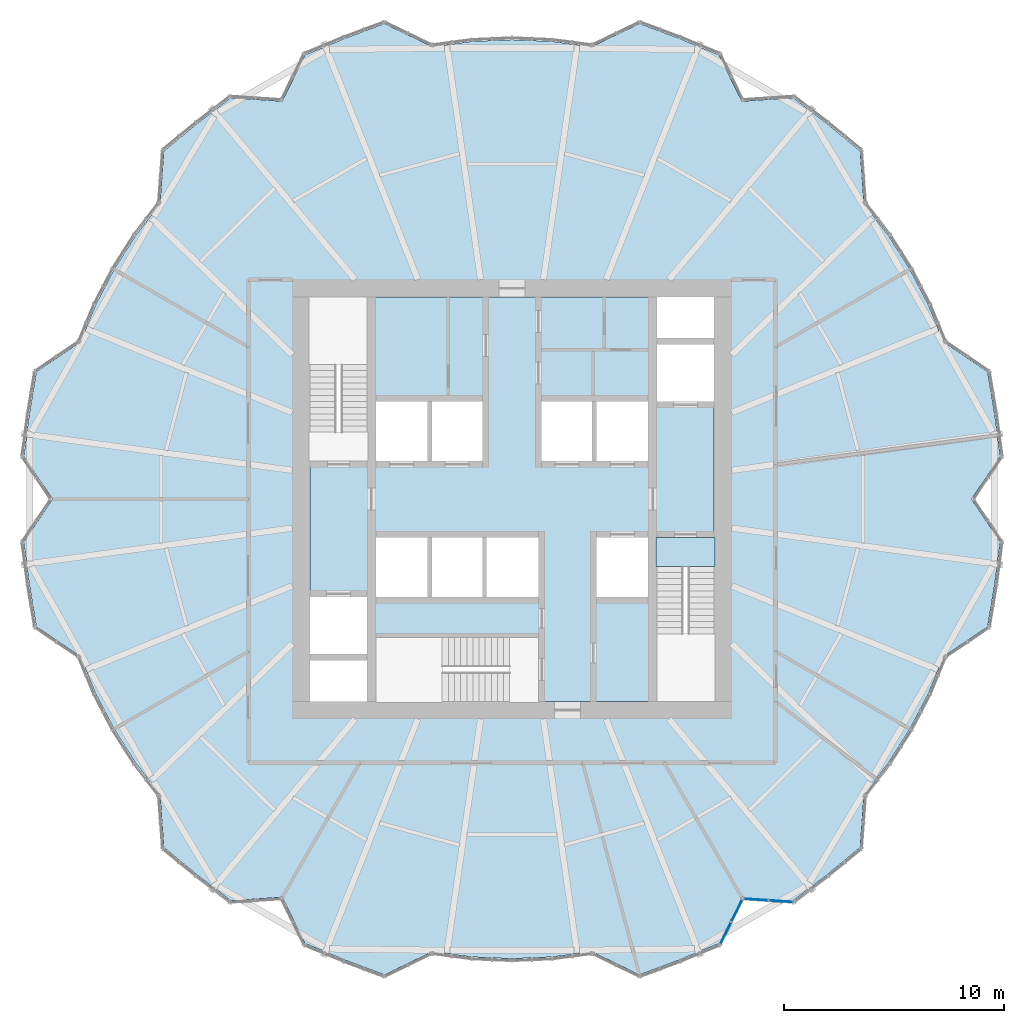
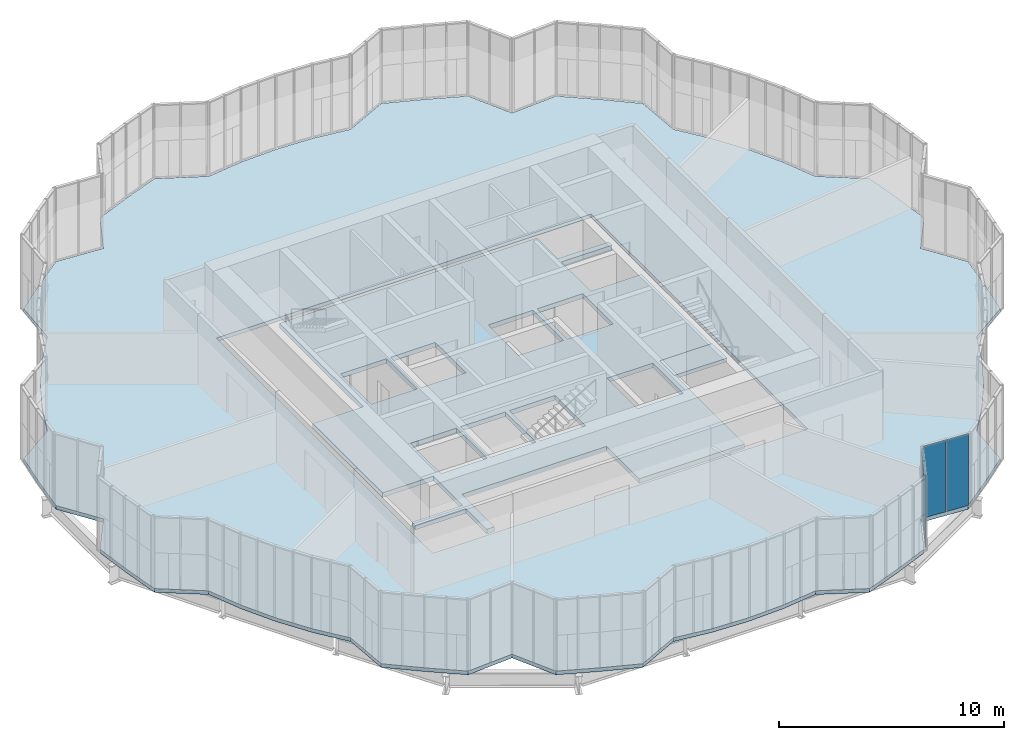
# One storey, part 15 of 22: 4 plates, 3 slabs, 2 elements without a shape of their own.
"""IFC4 building model written with IfcOpenShell, lengths in metres."""

from ifc_helpers import new_model, si_unit, direction, frame, origin, origin_2d, place, context, subcontext, project, spatial, polyline, rectangle, outline, extrude, material, layer, layer_set, type_object, element, aggregate, save


model = new_model("IFC4")

# Units and contexts
model_context = context("Model", 3, precision=1e-05, world=origin(), true_north=direction((0.0, 1.0)))
body_context = subcontext(model_context, "Body", "Model", "MODEL_VIEW")
ifc_project = project(units=[si_unit("LENGTHUNIT", "METRE"), si_unit("AREAUNIT", "SQUARE_METRE"), si_unit("VOLUMEUNIT", "CUBIC_METRE"), si_unit("PLANEANGLEUNIT", "RADIAN"), si_unit("MASSUNIT", "GRAM", prefix="KILO")], contexts=[model_context])

# Site, building, storey
site_placement = place(None, origin())
site = spatial("IfcSite", under=ifc_project, at=site_placement, CompositionType="ELEMENT")
building_placement = place(site_placement, origin())
building = spatial("IfcBuilding", under=site, at=building_placement, Name="Golbaran Civic Tower", CompositionType="ELEMENT")
storey_placement = place(building_placement, frame((0.0, 0.0, 29.0)))
storey = spatial("IfcBuildingStorey", under=building, at=storey_placement, Name="L06", CompositionType="ELEMENT", Elevation=29.0)

# Slabs
ifc_material_1 = material(Name="Concrete LC30/33 lightweight on steel deck", Category="concrete")
ifc_layer_1 = layer(ifc_material_1, 0.199951171875, Name="Concrete LC30/33 lightweight on steel deck")
ifc_layer_set_1 = layer_set([ifc_layer_1], Name="Concrete LC30/33 lightweight on steel deck")
slab_type_1 = type_object("IfcSlabType", Name="COMPOSITE FLOOR SLAB 200", PredefinedType="FLOOR", material=ifc_layer_set_1)
slab_1_placement = place(storey_placement, frame((0.0, 0.0, -0.199951171875)))
element("IfcSlab", 1, at=slab_1_placement, inside=storey, type_object=slab_type_1, Name="Floor slab L06", PredefinedType="FLOOR", context=body_context, shape_type="SweptSolid", body=[
    extrude(outline(polyline([(21.9775390625, -3.875244140625), (21.65673828125, -5.802978515625), (19.661865234375, -7.15625), (18.96337890625, -8.8427734375), (18.120361328125, -10.4619140625), (17.1396484375, -12.001220703125), (16.028564453125, -13.449462890625), (15.853759765625, -15.853759765625), (14.344970703125, -17.095458984375), (12.80029296875, -18.28076171875), (10.4619140625, -18.120361328125), (9.431396484375, -20.225830078125), (7.6328125, -20.970947265625), (5.802978515625, -21.65673828125), (3.63330078125, -20.605712890625), (1.82373046875, -20.843994140625), (0.0, -20.923583984375), (-1.82373046875, -20.843994140625), (-3.63330078125, -20.605712890625), (-5.802978515625, -21.65673828125), (-7.6328125, -20.970947265625), (-9.431396484375, -20.225830078125), (-10.4619140625, -18.120361328125), (-12.80029296875, -18.28076171875), (-14.344970703125, -17.095458984375), (-15.853759765625, -15.853759765625), (-16.028564453125, -13.449462890625), (-17.1396484375, -12.001220703125), (-18.120361328125, -10.4619140625), (-18.96337890625, -8.8427734375), (-19.661865234375, -7.15625), (-21.65673828125, -5.802978515625), (-21.9775390625, -3.875244140625), (-22.231689453125, -1.945068359375), (-20.923583984375, 0.0), (-22.231689453125, 1.945068359375), (-21.9775390625, 3.875244140625), (-21.65673828125, 5.802978515625), (-19.661865234375, 7.15625), (-18.96337890625, 8.8427734375), (-18.120361328125, 10.4619140625), (-17.1396484375, 12.001220703125), (-16.028564453125, 13.449462890625), (-15.853759765625, 15.853759765625), (-14.344970703125, 17.095458984375), (-12.80029296875, 18.28076171875), (-10.4619140625, 18.120361328125), (-9.431396484375, 20.225830078125), (-7.6328125, 20.970947265625), (-5.802978515625, 21.65673828125), (-3.63330078125, 20.605712890625), (-1.82373046875, 20.843994140625), (0.0, 20.923583984375), (1.82373046875, 20.843994140625), (3.63330078125, 20.605712890625), (5.802978515625, 21.65673828125), (7.6328125, 20.970947265625), (9.431396484375, 20.225830078125), (10.4619140625, 18.120361328125), (12.80029296875, 18.28076171875), (14.344970703125, 17.095458984375), (15.853759765625, 15.853759765625), (16.028564453125, 13.449462890625), (17.1396484375, 12.001220703125), (18.120361328125, 10.4619140625), (18.96337890625, 8.8427734375), (19.661865234375, 7.15625), (21.65673828125, 5.802978515625), (21.9775390625, 3.875244140625), (22.231689453125, 1.945068359375), (20.923583984375, 0.0), (22.231689453125, -1.945068359375), (21.9775390625, -3.875244140625)]), holes=[polyline([(-9.60009765625, 9.60009765625), (-9.60009765625, -9.60009765625), (9.60009765625, -9.60009765625), (9.60009765625, 9.60009765625), (-9.60009765625, 9.60009765625)])]), origin(), (0.0, 0.0, 1.0), 0.199951171875),
])
ifc_material_2 = material(Name="Concrete C35/45", Category="concrete")
ifc_layer_2 = layer(ifc_material_2, 0.25, Name="Concrete C35/45")
ifc_layer_set_2 = layer_set([ifc_layer_2], Name="Concrete C35/45")
slab_type_2 = type_object("IfcSlabType", Name="CORE FLOOR SLAB 250", PredefinedType="FLOOR", material=ifc_layer_set_2)
slab_2_placement = place(storey_placement, frame((0.0, 0.0, -0.25)))
element("IfcSlab", 2, at=slab_2_placement, inside=storey, type_object=slab_type_2, Name="Core floor slab L06", PredefinedType="FLOOR", context=body_context, shape_type="SweptSolid", body=[
    extrude(outline(polyline([(6.60009765625, -1.75), (6.60009765625, -9.199951171875), (1.199951171875, -9.199951171875), (1.199951171875, -6.300048828125), (-6.199951171875, -6.300048828125), (-6.199951171875, -9.199951171875), (-6.60009765625, -9.199951171875), (-6.60009765625, -7.35009765625), (-9.199951171875, -7.35009765625), (-9.199951171875, -7.050048828125), (-6.60009765625, -7.050048828125), (-6.60009765625, -4.449951171875), (-9.199951171875, -4.449951171875), (-9.199951171875, 1.75), (-6.60009765625, 1.75), (-6.60009765625, 9.199951171875), (6.60009765625, 9.199951171875), (6.60009765625, 7.35009765625), (9.199951171875, 7.35009765625), (9.199951171875, 7.050048828125), (6.60009765625, 7.050048828125), (6.60009765625, 4.449951171875), (9.199951171875, 4.449951171875), (9.199951171875, -1.75), (6.60009765625, -1.75)]), holes=[polyline([(6.199951171875, -1.75), (3.85009765625, -1.75), (3.85009765625, -4.449951171875), (6.199951171875, -4.449951171875), (6.199951171875, -1.75)]), polyline([(6.199951171875, 4.449951171875), (3.85009765625, 4.449951171875), (3.85009765625, 1.75), (6.199951171875, 1.75), (6.199951171875, 4.449951171875)]), polyline([(3.64990234375, 4.449951171875), (1.35009765625, 4.449951171875), (1.35009765625, 1.75), (3.64990234375, 1.75), (3.64990234375, 4.449951171875)]), polyline([(1.199951171875, -1.75), (-1.14990234375, -1.75), (-1.14990234375, -4.449951171875), (1.199951171875, -4.449951171875), (1.199951171875, -1.75)]), polyline([(-1.35009765625, 4.449951171875), (-3.64990234375, 4.449951171875), (-3.64990234375, 1.75), (-1.35009765625, 1.75), (-1.35009765625, 4.449951171875)]), polyline([(-1.35009765625, -1.75), (-3.64990234375, -1.75), (-3.64990234375, -4.449951171875), (-1.35009765625, -4.449951171875), (-1.35009765625, -1.75)]), polyline([(-3.85009765625, -1.75), (-6.199951171875, -1.75), (-6.199951171875, -4.449951171875), (-3.85009765625, -4.449951171875), (-3.85009765625, -1.75)]), polyline([(-3.85009765625, 4.449951171875), (-6.199951171875, 4.449951171875), (-6.199951171875, 1.75), (-3.85009765625, 1.75), (-3.85009765625, 4.449951171875)])]), origin(), (0.0, 0.0, 1.0), 0.25),
])

# Curtain wall, plates
ifc_material_3 = material(Name="Aluminium and glass", Category="aluminium")
curtain_wall_type = type_object("IfcCurtainWallType", Name="INNER SKIN CURTAIN WALL", PredefinedType="NOTDEFINED", material=ifc_material_3)
curtain_wall_1_placement = place(storey_placement, origin())
curtain_wall_1 = element("IfcCurtainWall", 3, at=curtain_wall_1_placement, inside=storey, type_object=curtain_wall_type, Name="Inner skin L06 facet 60 CW1", ObjectType="INNER SKIN", PredefinedType="USERDEFINED")
ifc_material_4 = material(Name="Clear insulating glass", Category="glass")
ifc_layer_3 = layer(ifc_material_4, 0.031982421875, Name="Clear insulating glass")
ifc_layer_set_3 = layer_set([ifc_layer_3], Name="Clear insulating glass")
plate_type = type_object("IfcPlateType", Name="INNER SKIN CURTAIN WALL GLAZED PANEL", PredefinedType="CURTAIN_PANEL", material=ifc_layer_set_3)
plate_1_placement = place(storey_placement, frame((9.732177734375, -19.7578125, 0.06494140625), z_axis=(0.0, 0.0, 1.0), x_axis=(0.441206843893, 0.897405438418, 0.0)))
plate_1 = element("IfcPlate", 4, at=plate_1_placement, type_object=plate_type, Name="CW1 panel 1.1", PredefinedType="CURTAIN_PANEL", context=body_context, shape_type="SweptSolid", body=[
    extrude(rectangle(XDim=1.077392578125, YDim=0.031982421875, at=origin_2d()), origin(), (0.0, 0.0, 1.0), 3.8701171875),
])
plate_2_placement = place(storey_placement, frame((10.236083984375, -18.732666015625, 0.06494140625), z_axis=(0.0, 0.0, 1.0), x_axis=(0.441206843893, 0.897405438418, 0.0)))
plate_2 = element("IfcPlate", 5, at=plate_2_placement, type_object=plate_type, Name="CW1 panel 2.1", PredefinedType="CURTAIN_PANEL", context=body_context, shape_type="SweptSolid", body=[
    extrude(rectangle(XDim=1.077392578125, YDim=0.031982421875, at=origin_2d()), origin(), (0.0, 0.0, 1.0), 3.8701171875),
])
aggregate(curtain_wall_1, [plate_1, plate_2])

curtain_wall_2_placement = place(storey_placement, origin())
curtain_wall_2 = element("IfcCurtainWall", 6, at=curtain_wall_2_placement, inside=storey, type_object=curtain_wall_type, Name="Inner skin L06 facet 61 CW1", ObjectType="INNER SKIN", PredefinedType="USERDEFINED")
plate_3_placement = place(storey_placement, frame((11.104736328125, -18.23095703125, 0.06494140625), z_axis=(0.0, 0.0, 1.0), x_axis=(0.99777932909, -0.066606384387, 0.0)))
plate_3 = element("IfcPlate", 7, at=plate_3_placement, type_object=plate_type, Name="CW1 panel 1.1", PredefinedType="CURTAIN_PANEL", context=body_context, shape_type="SweptSolid", body=[
    extrude(rectangle(XDim=1.077392578125, YDim=0.031982421875, at=origin_2d()), origin(), (0.0, 0.0, 1.0), 3.8701171875),
])
plate_4_placement = place(storey_placement, frame((12.24462890625, -18.30712890625, 0.06494140625), z_axis=(0.0, 0.0, 1.0), x_axis=(0.99777932909, -0.066606384387, 0.0)))
plate_4 = element("IfcPlate", 8, at=plate_4_placement, type_object=plate_type, Name="CW1 panel 2.1", PredefinedType="CURTAIN_PANEL", context=body_context, shape_type="SweptSolid", body=[
    extrude(rectangle(XDim=1.077392578125, YDim=0.031982421875, at=origin_2d()), origin(), (0.0, 0.0, 1.0), 3.8701171875),
])
aggregate(curtain_wall_2, [plate_3, plate_4])

# Slab
ifc_layer_4 = layer(ifc_material_2, 0.199951171875, Name="Concrete C35/45")
ifc_layer_set_4 = layer_set([ifc_layer_4], Name="Concrete C35/45")
slab_type_3 = type_object("IfcSlabType", Name="STAIR LANDING 200", PredefinedType="LANDING", material=ifc_layer_set_4)
slab_3_placement = place(storey_placement, frame((0.0, 0.0, -0.199951171875)))
element("IfcSlab", 9, at=slab_3_placement, inside=storey, type_object=slab_type_3, Name="Stair S2 floor landing L06", PredefinedType="LANDING", context=body_context, shape_type="SweptSolid", body=[
    extrude(outline(polyline([(9.25, -1.75), (9.25, -3.054931640625), (6.550048828125, -3.054931640625), (6.550048828125, -1.75), (9.25, -1.75)])), origin(), (0.0, 0.0, 1.0), 0.199951171875),
])

save(model, "model.ifc")
